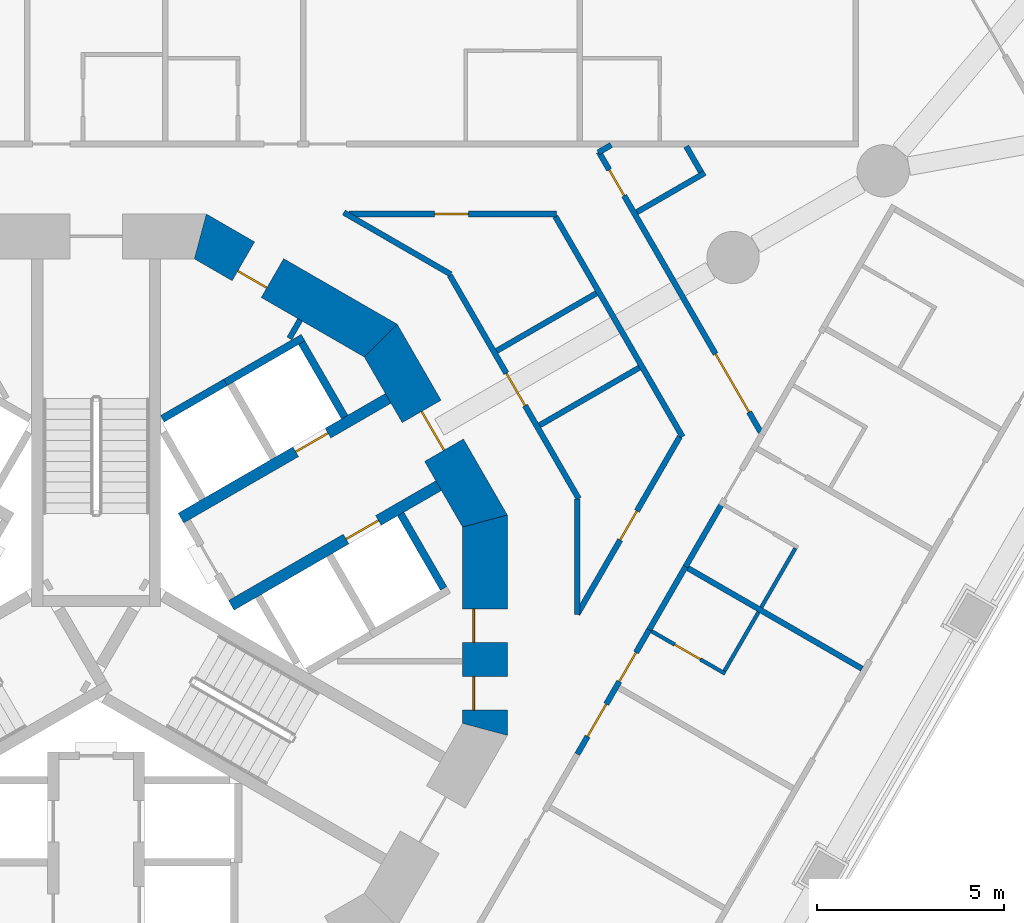
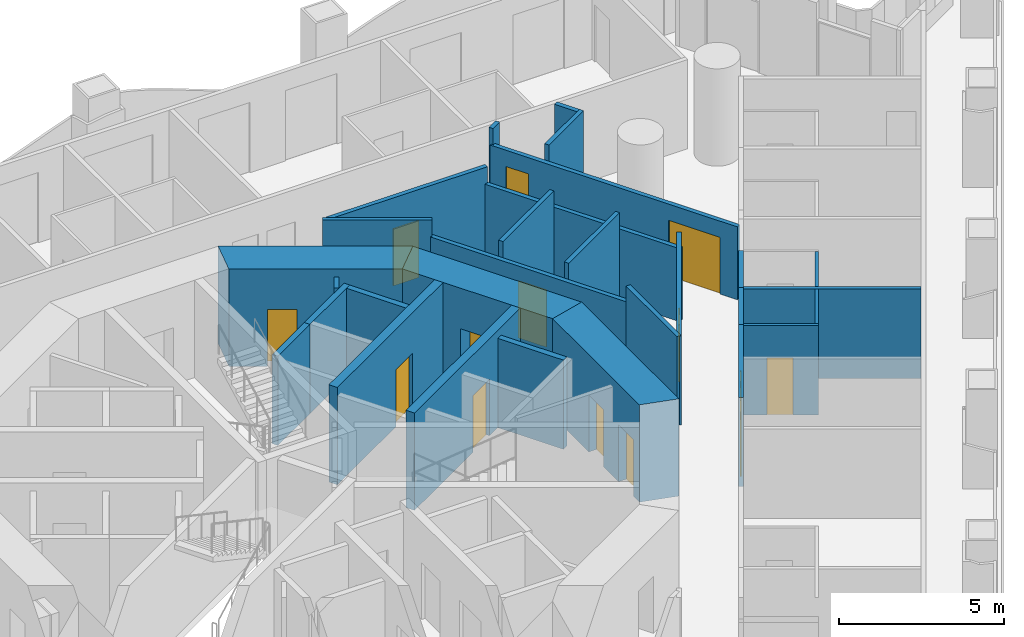
# One storey, part 9 of 20: 29 walls, 14 doors, 14 openings.
"""IFC4 building model written with IfcOpenShell, lengths in metres."""

from ifc_helpers import new_model, si_unit, direction, frame, frame_2d, origin, place, context, subcontext, project, spatial, polyline, rectangle, outline, extrude, material, layer, layer_set, type_object, element, fill, save


model = new_model("IFC4")

# Units and contexts
model_context = context("Model", 3, precision=1e-05, world=origin(), true_north=direction((0.0, 1.0)))
body_context = subcontext(model_context, "Body", "Model", "MODEL_VIEW")
ifc_project = project(units=[si_unit("LENGTHUNIT", "METRE"), si_unit("AREAUNIT", "SQUARE_METRE"), si_unit("VOLUMEUNIT", "CUBIC_METRE"), si_unit("PLANEANGLEUNIT", "RADIAN"), si_unit("MASSUNIT", "GRAM", prefix="KILO")], contexts=[model_context])

# Site, building, storey
site_placement = place(None, origin())
site = spatial("IfcSite", under=ifc_project, at=site_placement, CompositionType="ELEMENT")
building_placement = place(site_placement, origin())
building = spatial("IfcBuilding", under=site, at=building_placement, Name="Trine Commons Tower", CompositionType="ELEMENT")
storey_placement = place(building_placement, frame((0.0, 0.0, 38.699951171875)))
storey = spatial("IfcBuildingStorey", under=building, at=storey_placement, Name="L08", CompositionType="ELEMENT", Elevation=38.699951171875)

# Wall
ifc_material_1 = material(Name="Plasterboard partition on steel studs", Category="steel")
ifc_layer_1 = layer(ifc_material_1, 0.14990234375)
ifc_layer_set_1 = layer_set([ifc_layer_1], Name="Plasterboard partition on steel studs")
wall_type_1 = type_object("IfcWallType", Name="Core room partition 150 mm, EI 60", PredefinedType="PARTITIONING", material=ifc_layer_set_1)
wall_1_placement = place(storey_placement, frame((85.4609375, 70.676025390625, 0.0), z_axis=(0.0, 0.0, 1.0), x_axis=(-0.500042804318, -0.866000689289, 0.0)))
element("IfcWall", 1, at=wall_1_placement, inside=storey, type_object=wall_type_1, Name="Core room partition L08", PredefinedType="PARTITIONING", context=body_context, shape_type="SweptSolid", body=[
    extrude(rectangle(XDim=0.57177734375, YDim=0.14990234375, at=frame_2d((0.285888671875, 0.0))), origin(), (0.0, 0.0, 1.0), 3.300048828125),
])

# Wall, openings, doors
ifc_material_2 = material(Name="Concrete C80/95", Category="concrete")
ifc_layer_2 = layer(ifc_material_2, 1.199951171875)
ifc_layer_set_2 = layer_set([ifc_layer_2], Name="Concrete C80/95")
wall_type_2 = type_object("IfcWallType", Name="RC shear wall 1200 mm, C80/95", PredefinedType="SHEAR", material=ifc_layer_set_2)
wall_2_placement = place(storey_placement, frame((90.41162109375, 59.549560546875, 0.0), z_axis=(0.0, 0.0, 1.0), x_axis=(0.0, 1.0, 0.0)))
wall_2 = element("IfcWall", 2, at=wall_2_placement, inside=storey, type_object=wall_type_2, Name="Core wall CWA-01 L08", PredefinedType="SHEAR", context=body_context, shape_type="SweptSolid", body=[
    extrude(outline(polyline([(0.0, -0.60009765625), (5.90087890625, -0.60009765625), (5.57958984375, 0.60009765625), (0.321533203125, 0.60009765625), (0.0, -0.60009765625)])), origin(), (0.0, 0.0, 1.0), 3.60009765625),
])
opening_1_placement = place(wall_2_placement, frame((0.675537109375, 0.0, 0.0)))
opening_1 = element("IfcOpeningElement", 3, at=opening_1_placement, cuts=wall_2, Name="Opening K07.18", PredefinedType="OPENING", context=body_context, shape_type="SweptSolid", body=[
    extrude(rectangle(XDim=0.89990234375, YDim=2.10009765625, at=frame_2d((0.449951171875, 1.050048828125))), frame((0.0, 0.60986328125, 0.0), z_axis=(0.0, -1.0, 0.0), x_axis=(1.0, 0.0, 0.0)), (0.0, 0.0, 1.0), 1.219970703125),
])
opening_2_placement = place(wall_2_placement, frame((2.487548828125, 0.0, 0.0)))
opening_2 = element("IfcOpeningElement", 4, at=opening_2_placement, cuts=wall_2, Name="Opening K07.19", PredefinedType="OPENING", context=body_context, shape_type="SweptSolid", body=[
    extrude(rectangle(XDim=0.89990234375, YDim=2.10009765625, at=frame_2d((0.449951171875, 1.050048828125))), frame((0.0, 0.60986328125, 0.0), z_axis=(0.0, -1.0, 0.0), x_axis=(1.0, 0.0, 0.0)), (0.0, 0.0, 1.0), 1.219970703125),
])
ifc_material_3 = material(Name="Steel door leaf, fire-rated", Category="steel")
door_type_1 = type_object("IfcDoorType", Name="Core room door, single leaf 900 x 2100, FD30S", OperationType="SINGLE_SWING_LEFT", PredefinedType="DOOR", material=ifc_material_3)
door_1_placement = place(opening_1_placement, origin())
door_1 = element("IfcDoor", 5, at=door_1_placement, inside=storey, type_object=door_type_1, Name="Door to Parcel store L08", OperationType="SINGLE_SWING_LEFT", OverallHeight=2.10009765625, OverallWidth=0.89990234375, PredefinedType="DOOR", context=body_context, shape_type="SweptSolid", body=[
    extrude(rectangle(XDim=0.89990234375, YDim=2.10009765625, at=frame_2d((0.449951171875, 1.050048828125))), frame((0.0, 0.3251953125, 0.0), z_axis=(0.0, -1.0, 0.0), x_axis=(1.0, 0.0, 0.0)), (0.0, 0.0, 1.0), 0.050048828125),
])
fill(opening_1, door_1)
door_2_placement = place(opening_2_placement, origin())
door_2 = element("IfcDoor", 6, at=door_2_placement, inside=storey, type_object=door_type_1, Name="Door to Print room L08", OperationType="SINGLE_SWING_LEFT", OverallHeight=2.10009765625, OverallWidth=0.89990234375, PredefinedType="DOOR", context=body_context, shape_type="SweptSolid", body=[
    extrude(rectangle(XDim=0.89990234375, YDim=2.10009765625, at=frame_2d((0.449951171875, 1.050048828125))), frame((0.0, 0.3251953125, 0.0), z_axis=(0.0, -1.0, 0.0), x_axis=(1.0, 0.0, 0.0)), (0.0, 0.0, 1.0), 0.050048828125),
])
fill(opening_2, door_2)

# Wall, opening, door
wall_3_placement = place(storey_placement, frame((90.491943359375, 65.150390625, 0.0), z_axis=(0.0, 0.0, 1.0), x_axis=(-0.499979111662, 0.866037463336, 0.0)))
wall_3 = element("IfcWall", 7, at=wall_3_placement, inside=storey, type_object=wall_type_2, Name="Core wall CWA-02 L08", PredefinedType="SHEAR", context=body_context, shape_type="SweptSolid", body=[
    extrude(outline(polyline([(0.0, -0.60009765625), (5.901123046875, -0.60009765625), (5.57958984375, 0.60009765625), (0.321533203125, 0.60009765625), (0.0, -0.60009765625)])), origin(), (0.0, 0.0, 1.0), 3.60009765625),
])
opening_3_placement = place(wall_3_placement, frame((2.3505859375, 0.0, 0.0)))
opening_3 = element("IfcOpeningElement", 8, at=opening_3_placement, cuts=wall_3, Name="Opening K07.04", PredefinedType="OPENING", context=body_context, shape_type="SweptSolid", body=[
    extrude(rectangle(XDim=1.199951171875, YDim=2.10009765625, at=frame_2d((0.60009765625, 1.050048828125))), frame((0.0, 0.60986328125, 0.0), z_axis=(0.0, -1.0, 0.0), x_axis=(1.0, 0.0, 0.0)), (0.0, 0.0, 1.0), 1.219970703125),
])
ifc_material_4 = material(Name="Steel door leaves, fire-rated", Category="steel")
door_type_2 = type_object("IfcDoorType", Name="Lobby door, double leaf 1200 x 2100, FD60", OperationType="DOUBLE_DOOR_SINGLE_SWING", PredefinedType="DOOR", material=ifc_material_4)
door_3_placement = place(opening_3_placement, origin())
door_3 = element("IfcDoor", 9, at=door_3_placement, inside=storey, type_object=door_type_2, Name="Lobby door, Passenger lift lobby A L08", OperationType="DOUBLE_DOOR_SINGLE_SWING", OverallHeight=2.10009765625, OverallWidth=1.199951171875, PredefinedType="DOOR", context=body_context, shape_type="SweptSolid", body=[
    extrude(rectangle(XDim=1.199951171875, YDim=2.10009765625, at=frame_2d((0.60009765625, 1.050048828125))), frame((0.0, 0.02490234375, 0.0), z_axis=(0.0, -1.0, 0.0), x_axis=(1.0, 0.0, 0.0)), (0.0, 0.0, 1.0), 0.050048828125),
])
fill(opening_3, door_3)

wall_4_placement = place(storey_placement, frame((87.760986328125, 70.04150390625, 0.0), z_axis=(0.0, 0.0, 1.0), x_axis=(-0.866037463336, 0.499979111662, 0.0)))
wall_4 = element("IfcWall", 10, at=wall_4_placement, inside=storey, type_object=wall_type_2, Name="Core wall CWA-03 L08", PredefinedType="SHEAR", context=body_context, shape_type="SweptSolid", body=[
    extrude(outline(polyline([(0.0, -0.60009765625), (5.901123046875, -0.60009765625), (5.57958984375, 0.60009765625), (0.321533203125, 0.60009765625), (0.0, -0.60009765625)])), origin(), (0.0, 0.0, 1.0), 3.60009765625),
])
opening_4_placement = place(wall_4_placement, frame((3.509521484375, 0.0, 0.0)))
opening_4 = element("IfcOpeningElement", 11, at=opening_4_placement, cuts=wall_4, Name="Opening K07.11", PredefinedType="OPENING", context=body_context, shape_type="SweptSolid", body=[
    extrude(rectangle(XDim=0.89990234375, YDim=2.10009765625, at=frame_2d((0.449951171875, 1.050048828125))), frame((0.0, 0.60986328125, 0.0), z_axis=(0.0, -1.0, 0.0), x_axis=(1.0, 0.0, 0.0)), (0.0, 0.0, 1.0), 1.219970703125),
])
door_4_placement = place(opening_4_placement, origin())
door_4 = element("IfcDoor", 12, at=door_4_placement, inside=storey, type_object=door_type_1, Name="Door to Accessible WC L08", OperationType="SINGLE_SWING_RIGHT", OverallHeight=2.10009765625, OverallWidth=0.89990234375, PredefinedType="DOOR", context=body_context, shape_type="SweptSolid", body=[
    extrude(rectangle(XDim=0.89990234375, YDim=2.10009765625, at=frame_2d((0.449951171875, 1.050048828125))), frame((0.0, 0.3251953125, 0.0), z_axis=(0.0, -1.0, 0.0), x_axis=(1.0, 0.0, 0.0)), (0.0, 0.0, 1.0), 0.050048828125),
])
fill(opening_4, door_4)

ifc_layer_3 = layer(ifc_material_2, 0.300048828125)
ifc_layer_set_3 = layer_set([ifc_layer_3], Name="Concrete C80/95")
wall_type_3 = type_object("IfcWallType", Name="RC shear wall 300 mm, C80/95", PredefinedType="SHEAR", material=ifc_layer_set_3)
wall_5_placement = place(storey_placement, frame((82.26904296875, 65.368896484375, 0.0), z_axis=(0.0, 0.0, 1.0), x_axis=(0.866022631842, 0.500004801114, 0.0)))
wall_5 = element("IfcWall", 13, at=wall_5_placement, inside=storey, type_object=wall_type_3, Name="Core cross wall SWA-05 L08", PredefinedType="SHEAR", context=body_context, shape_type="SweptSolid", body=[
    extrude(rectangle(XDim=6.412109375, YDim=0.300048828125, at=frame_2d((3.2060546875, 0.0))), origin(), (0.0, 0.0, 1.0), 3.60009765625),
])
opening_5_placement = place(wall_5_placement, frame((3.55029296875, 0.0, 0.0)))
opening_5 = element("IfcOpeningElement", 14, at=opening_5_placement, cuts=wall_5, Name="Opening LD1", PredefinedType="OPENING", context=body_context, shape_type="SweptSolid", body=[
    extrude(rectangle(XDim=1.0, YDim=2.10009765625, at=frame_2d((0.5, 1.050048828125))), frame((0.0, 0.159912109375, 0.0), z_axis=(0.0, -1.0, 0.0), x_axis=(1.0, 0.0, 0.0)), (0.0, 0.0, 1.0), 0.320068359375),
])
ifc_material_5 = material(Name="Stainless steel sliding door leaves", Category="steel")
door_type_3 = type_object("IfcDoorType", Name="Lift landing door, centre-opening sliding 1000 x 2100, FD90", OperationType="DOUBLE_DOOR_SLIDING", PredefinedType="DOOR", material=ifc_material_5)
door_5_placement = place(opening_5_placement, origin())
door_5 = element("IfcDoor", 15, at=door_5_placement, inside=storey, type_object=door_type_3, Name="Lift landing door LR1 L08", OperationType="DOUBLE_DOOR_SLIDING", OverallHeight=2.10009765625, OverallWidth=1.0, PredefinedType="DOOR", context=body_context, shape_type="SweptSolid", body=[
    extrude(rectangle(XDim=1.0, YDim=2.10009765625, at=frame_2d((0.5, 1.050048828125))), frame((0.0, 0.02490234375, 0.0), z_axis=(0.0, -1.0, 0.0), x_axis=(1.0, 0.0, 0.0)), (0.0, 0.0, 1.0), 0.050048828125),
])
fill(opening_5, door_5)

wall_6_placement = place(storey_placement, frame((83.618896484375, 63.031005859375, 0.0), z_axis=(0.0, 0.0, 1.0), x_axis=(0.866032150378, 0.499988314375, 0.0)))
wall_6 = element("IfcWall", 16, at=wall_6_placement, inside=storey, type_object=wall_type_3, Name="Core cross wall SWA-06 L08", PredefinedType="SHEAR", context=body_context, shape_type="SweptSolid", body=[
    extrude(rectangle(XDim=6.412353515625, YDim=0.300048828125, at=frame_2d((3.2060546875, 0.0))), origin(), (0.0, 0.0, 1.0), 3.60009765625),
])
opening_6_placement = place(wall_6_placement, frame((3.55029296875, 0.0, 0.0)))
opening_6 = element("IfcOpeningElement", 17, at=opening_6_placement, cuts=wall_6, Name="Opening LD2", PredefinedType="OPENING", context=body_context, shape_type="SweptSolid", body=[
    extrude(rectangle(XDim=1.0, YDim=2.10009765625, at=frame_2d((0.5, 1.050048828125))), frame((0.0, 0.159912109375, 0.0), z_axis=(0.0, -1.0, 0.0), x_axis=(1.0, 0.0, 0.0)), (0.0, 0.0, 1.0), 0.320068359375),
])
door_6_placement = place(opening_6_placement, origin())
door_6 = element("IfcDoor", 18, at=door_6_placement, inside=storey, type_object=door_type_3, Name="Lift landing door LR2 L08", OperationType="DOUBLE_DOOR_SLIDING", OverallHeight=2.10009765625, OverallWidth=1.0, PredefinedType="DOOR", context=body_context, shape_type="SweptSolid", body=[
    extrude(rectangle(XDim=1.0, YDim=2.10009765625, at=frame_2d((0.5, 1.050048828125))), frame((0.0, 0.02490234375, 0.0), z_axis=(0.0, -1.0, 0.0), x_axis=(1.0, 0.0, 0.0)), (0.0, 0.0, 1.0), 0.050048828125),
])
fill(opening_6, door_6)

# Walls
ifc_material_6 = material(Name="Fire-rated gypsum shaft wall system")
ifc_layer_4 = layer(ifc_material_6, 0.199951171875)
ifc_layer_set_4 = layer_set([ifc_layer_4], Name="Fire-rated gypsum shaft wall system")
wall_type_4 = type_object("IfcWallType", Name="Shaft wall 200 mm, EI 120", PredefinedType="PARTITIONING", material=ifc_layer_set_4)
wall_7_placement = place(storey_placement, frame((81.77490234375, 68.028076171875, 0.0), z_axis=(0.0, 0.0, 1.0), x_axis=(0.866052014814, 0.499953905513, 0.0)))
element("IfcWall", 19, at=wall_7_placement, inside=storey, type_object=wall_type_4, Name="Shaft wall L08", PredefinedType="PARTITIONING", context=body_context, shape_type="SweptSolid", body=[
    extrude(rectangle(XDim=1.947998046875, YDim=0.199951171875, at=frame_2d((0.97412109375, 0.0))), origin(), (0.0, 0.0, 1.0), 3.300048828125),
])
wall_8_placement = place(storey_placement, frame((83.4619140625, 69.001953125, 0.0), z_axis=(0.0, 0.0, 1.0), x_axis=(0.866202511239, 0.499693115345, 0.0)))
element("IfcWall", 20, at=wall_8_placement, inside=storey, type_object=wall_type_4, Name="Shaft wall L08", PredefinedType="PARTITIONING", context=body_context, shape_type="SweptSolid", body=[
    extrude(rectangle(XDim=2.4013671875, YDim=0.199951171875, at=frame_2d((1.20068359375, 0.0))), origin(), (0.0, 0.0, 1.0), 3.300048828125),
])
wall_9_placement = place(storey_placement, frame((86.655029296875, 68.073974609375, 0.0), z_axis=(0.0, 0.0, 1.0), x_axis=(-0.500215680983, 0.865900844496, 0.0)))
element("IfcWall", 21, at=wall_9_placement, inside=storey, type_object=wall_type_4, Name="Shaft wall L08", PredefinedType="PARTITIONING", context=body_context, shape_type="SweptSolid", body=[
    extrude(rectangle(XDim=2.29931640625, YDim=0.199951171875, at=frame_2d((1.149658203125, 0.0))), origin(), (0.0, 0.0, 1.0), 3.300048828125),
])
wall_10_placement = place(storey_placement, frame((88.155029296875, 65.47607421875, 0.0), z_axis=(0.0, 0.0, 1.0), x_axis=(0.500136062276, -0.86594683394, 0.0)))
element("IfcWall", 22, at=wall_10_placement, inside=storey, type_object=wall_type_4, Name="Shaft wall L08", PredefinedType="PARTITIONING", context=body_context, shape_type="SweptSolid", body=[
    extrude(rectangle(XDim=2.299072265625, YDim=0.199951171875, at=frame_2d((1.1494140625, 0.0))), origin(), (0.0, 0.0, 1.0), 3.300048828125),
])
ifc_material_7 = material(Name="Gypsum plasterboard on steel stud", Category="steel")
ifc_layer_5 = layer(ifc_material_7, 0.14990234375)
ifc_layer_set_5 = layer_set([ifc_layer_5], Name="Gypsum plasterboard on steel stud")
wall_type_5 = type_object("IfcWallType", Name="Unit and corridor wall 150 mm, EI 60", PredefinedType="PARTITIONING", material=ifc_layer_set_5)
wall_11_placement = place(storey_placement, frame((86.633056640625, 73.551513671875, 0.0), z_axis=(0.0, 0.0, 1.0), x_axis=(0.865959508231, -0.500114117081, 0.0)))
element("IfcWall", 23, at=wall_11_placement, inside=storey, type_object=wall_type_5, Name="Partition 092", PredefinedType="PARTITIONING", context=body_context, shape_type="SweptSolid", body=[
    extrude(rectangle(XDim=3.309326171875, YDim=0.14990234375, at=frame_2d((1.65478515625, 0.0))), origin(), (0.0, 0.0, 1.0), 3.300048828125),
])

# Wall, opening, door
wall_12_placement = place(storey_placement, frame((86.77587890625, 73.511962890625, 0.0), z_axis=(0.0, 0.0, 1.0), x_axis=(1.0, 0.0, 0.0)))
wall_12 = element("IfcWall", 24, at=wall_12_placement, inside=storey, type_object=wall_type_5, Name="Partition 093", PredefinedType="PARTITIONING", context=body_context, shape_type="SweptSolid", body=[
    extrude(rectangle(XDim=5.55810546875, YDim=0.14990234375, at=frame_2d((2.779052734375, 0.0))), origin(), (0.0, 0.0, 1.0), 3.300048828125),
])
opening_7_placement = place(wall_12_placement, frame((2.29150390625, 0.0, 0.0)))
opening_7 = element("IfcOpeningElement", 25, at=opening_7_placement, cuts=wall_12, Name="Opening D-1A36", PredefinedType="OPENING", context=body_context, shape_type="SweptSolid", body=[
    extrude(rectangle(XDim=0.89990234375, YDim=2.10009765625, at=frame_2d((0.449951171875, 1.050048828125))), frame((0.0, 0.0849609375, 0.0), z_axis=(0.0, -1.0, 0.0), x_axis=(1.0, 0.0, 0.0)), (0.0, 0.0, 1.0), 0.169921875),
])
ifc_material_8 = material(Name="Timber fire door set", Category="wood")
door_type_4 = type_object("IfcDoorType", Name="Service door 900 x 2100, FD30S", OperationType="NOTDEFINED", PredefinedType="DOOR", material=ifc_material_8)
door_7_placement = place(opening_7_placement, frame((0.89990234375, 0.0, 0.0), z_axis=(0.0, 0.0, 1.0), x_axis=(-1.0, 0.0, 0.0)))
door_7 = element("IfcDoor", 26, at=door_7_placement, inside=storey, type_object=door_type_4, Name="Door D-1A36", OperationType="SINGLE_SWING_RIGHT", OverallHeight=2.10009765625, OverallWidth=0.89990234375, PredefinedType="DOOR", context=body_context, shape_type="SweptSolid", body=[
    extrude(rectangle(XDim=0.89990234375, YDim=2.10009765625, at=frame_2d((0.449951171875, 1.050048828125))), frame((0.0, 0.02490234375, 0.0), z_axis=(0.0, -1.0, 0.0), x_axis=(1.0, 0.0, 0.0)), (0.0, 0.0, 1.0), 0.050048828125),
])
fill(opening_7, door_7)

wall_13_placement = place(storey_placement, frame((89.471435546875, 71.868896484375, 0.0), z_axis=(0.0, 0.0, 1.0), x_axis=(0.50000193825, -0.866024284732, 0.0)))
wall_13 = element("IfcWall", 27, at=wall_13_placement, inside=storey, type_object=wall_type_5, Name="Partition 099", PredefinedType="PARTITIONING", context=body_context, shape_type="SweptSolid", body=[
    extrude(rectangle(XDim=6.90625, YDim=0.14990234375, at=frame_2d((3.453125, 0.0))), origin(), (0.0, 0.0, 1.0), 2.699951171875),
])
opening_8_placement = place(wall_13_placement, frame((3.0283203125, 0.0, 0.0)))
opening_8 = element("IfcOpeningElement", 28, at=opening_8_placement, cuts=wall_13, Name="Opening D-1A40", PredefinedType="OPENING", context=body_context, shape_type="SweptSolid", body=[
    extrude(rectangle(XDim=1.0, YDim=2.10009765625, at=frame_2d((0.5, 1.050048828125))), frame((0.0, 0.0849609375, 0.0), z_axis=(0.0, -1.0, 0.0), x_axis=(1.0, 0.0, 0.0)), (0.0, 0.0, 1.0), 0.169921875),
])
ifc_material_9 = material(Name="Painted timber", Category="wood")
door_type_5 = type_object("IfcDoorType", Name="Toilet door 1000 x 2100, NOT RATED", OperationType="NOTDEFINED", PredefinedType="DOOR", material=ifc_material_9)
door_8_placement = place(opening_8_placement, origin())
door_8 = element("IfcDoor", 29, at=door_8_placement, inside=storey, type_object=door_type_5, Name="Door D-1A40", OperationType="SINGLE_SWING_RIGHT", OverallHeight=2.10009765625, OverallWidth=1.0, PredefinedType="DOOR", context=body_context, shape_type="SweptSolid", body=[
    extrude(rectangle(XDim=1.0, YDim=2.10009765625, at=frame_2d((0.5, 1.050048828125))), frame((0.0, 0.02490234375, 0.0), z_axis=(0.0, -1.0, 0.0), x_axis=(1.0, 0.0, 0.0)), (0.0, 0.0, 1.0), 0.050048828125),
])
fill(opening_8, door_8)

# Walls
wall_14_placement = place(storey_placement, frame((90.724853515625, 69.846435546875, 0.0), z_axis=(0.0, 0.0, 1.0), x_axis=(0.866014305363, 0.500019222537, 0.0)))
element("IfcWall", 30, at=wall_14_placement, inside=storey, type_object=wall_type_5, Name="Partition 103", PredefinedType="PARTITIONING", context=body_context, shape_type="SweptSolid", body=[
    extrude(rectangle(XDim=3.0859375, YDim=0.14990234375, at=frame_2d((1.54296875, 0.0))), origin(), (0.0, 0.0, 1.0), 3.300048828125),
])
wall_15_placement = place(storey_placement, frame((91.875, 67.8544921875, 0.0), z_axis=(0.0, 0.0, 1.0), x_axis=(0.865994522568, 0.500053484023, 0.0)))
element("IfcWall", 31, at=wall_15_placement, inside=storey, type_object=wall_type_5, Name="Partition 104", PredefinedType="PARTITIONING", context=body_context, shape_type="SweptSolid", body=[
    extrude(rectangle(XDim=3.085693359375, YDim=0.14990234375, at=frame_2d((1.54296875, 0.0))), origin(), (0.0, 0.0, 1.0), 3.300048828125),
])
wall_16_placement = place(storey_placement, frame((92.29638671875, 73.447021484375, 0.0), z_axis=(0.0, 0.0, 1.0), x_axis=(0.499961235371, -0.866047783397, 0.0)))
element("IfcWall", 32, at=wall_16_placement, inside=storey, type_object=wall_type_5, Name="Partition 106", PredefinedType="PARTITIONING", context=body_context, shape_type="SweptSolid", body=[
    extrude(rectangle(XDim=6.81494140625, YDim=0.14990234375, at=frame_2d((3.407470703125, 0.0))), origin(), (0.0, 0.0, 1.0), 2.699951171875),
])

# Wall, openings, doors
wall_17_placement = place(storey_placement, frame((92.886962890625, 59.047119140625, 0.0), z_axis=(0.0, 0.0, 1.0), x_axis=(0.499944721712, 0.866057316367, 0.0)))
wall_17 = element("IfcWall", 33, at=wall_17_placement, inside=storey, type_object=wall_type_5, Name="Partition 107", PredefinedType="PARTITIONING", context=body_context, shape_type="SweptSolid", body=[
    extrude(rectangle(XDim=3.8984375, YDim=0.14990234375, at=frame_2d((1.94921875, 0.0))), origin(), (0.0, 0.0, 1.0), 3.300048828125),
])
opening_9_placement = place(wall_17_placement, frame((2.245361328125, 0.0, 0.0)))
opening_9 = element("IfcOpeningElement", 34, at=opening_9_placement, cuts=wall_17, Name="Opening D-1A18", PredefinedType="OPENING", context=body_context, shape_type="SweptSolid", body=[
    extrude(rectangle(XDim=0.89990234375, YDim=2.10009765625, at=frame_2d((0.449951171875, 1.050048828125))), frame((0.0, 0.0849609375, 0.0), z_axis=(0.0, -1.0, 0.0), x_axis=(1.0, 0.0, 0.0)), (0.0, 0.0, 1.0), 0.169921875),
])
opening_10_placement = place(wall_17_placement, frame((0.547607421875, 0.0, 0.0)))
opening_10 = element("IfcOpeningElement", 35, at=opening_10_placement, cuts=wall_17, Name="Opening D-1A19", PredefinedType="OPENING", context=body_context, shape_type="SweptSolid", body=[
    extrude(rectangle(XDim=1.0, YDim=2.10009765625, at=frame_2d((0.5, 1.050048828125))), frame((0.0, 0.0849609375, 0.0), z_axis=(0.0, -1.0, 0.0), x_axis=(1.0, 0.0, 0.0)), (0.0, 0.0, 1.0), 0.169921875),
])
door_type_6 = type_object("IfcDoorType", Name="Amenity room door 1000 x 2100, NOT RATED", OperationType="NOTDEFINED", PredefinedType="DOOR", material=ifc_material_9)
door_9_placement = place(opening_10_placement, frame((1.0, 0.0, 0.0), z_axis=(0.0, 0.0, 1.0), x_axis=(-1.0, 0.0, 0.0)))
door_9 = element("IfcDoor", 36, at=door_9_placement, inside=storey, type_object=door_type_6, Name="Door D-1A19", OperationType="SINGLE_SWING_RIGHT", OverallHeight=2.10009765625, OverallWidth=1.0, PredefinedType="DOOR", context=body_context, shape_type="SweptSolid", body=[
    extrude(rectangle(XDim=1.0, YDim=2.10009765625, at=frame_2d((0.5, 1.050048828125))), frame((0.0, 0.02490234375, 0.0), z_axis=(0.0, -1.0, 0.0), x_axis=(1.0, 0.0, 0.0)), (0.0, 0.0, 1.0), 0.050048828125),
])
fill(opening_10, door_9)
door_type_7 = type_object("IfcDoorType", Name="Bedroom door 900 x 2100, FD30S", OperationType="NOTDEFINED", PredefinedType="DOOR", material=ifc_material_8)
door_10_placement = place(opening_9_placement, frame((0.89990234375, 0.0, 0.0), z_axis=(0.0, 0.0, 1.0), x_axis=(-1.0, 0.0, 0.0)))
door_10 = element("IfcDoor", 37, at=door_10_placement, inside=storey, type_object=door_type_7, Name="Door D-1A18", OperationType="SINGLE_SWING_LEFT", OverallHeight=2.10009765625, OverallWidth=0.89990234375, PredefinedType="DOOR", context=body_context, shape_type="SweptSolid", body=[
    extrude(rectangle(XDim=0.89990234375, YDim=2.10009765625, at=frame_2d((0.449951171875, 1.050048828125))), frame((0.0, 0.02490234375, 0.0), z_axis=(0.0, -1.0, 0.0), x_axis=(1.0, 0.0, 0.0)), (0.0, 0.0, 1.0), 0.050048828125),
])
fill(opening_9, door_10)

# Wall
wall_18_placement = place(storey_placement, frame((92.886962890625, 62.79296875, 0.0), z_axis=(0.0, 0.0, 1.0), x_axis=(0.0, 1.0, 0.0)))
element("IfcWall", 38, at=wall_18_placement, inside=storey, type_object=wall_type_5, Name="Partition 108", PredefinedType="PARTITIONING", context=body_context, shape_type="SweptSolid", body=[
    extrude(rectangle(XDim=3.0849609375, YDim=0.14990234375, at=frame_2d((1.54248046875, 0.0))), origin(), (0.0, 0.0, 1.0), 3.300048828125),
])

# Wall, opening, door
wall_19_placement = place(storey_placement, frame((92.886962890625, 62.797119140625, 0.0), z_axis=(0.0, 0.0, 1.0), x_axis=(0.500042392625, 0.866000927008, 0.0)))
wall_19 = element("IfcWall", 39, at=wall_19_placement, inside=storey, type_object=wall_type_5, Name="Partition 109", PredefinedType="PARTITIONING", context=body_context, shape_type="SweptSolid", body=[
    extrude(rectangle(XDim=5.482421875, YDim=0.14990234375, at=frame_2d((2.7412109375, 0.0))), origin(), (0.0, 0.0, 1.0), 3.300048828125),
])
opening_11_placement = place(wall_19_placement, frame((2.291259765625, 0.0, 0.0)))
opening_11 = element("IfcOpeningElement", 40, at=opening_11_placement, cuts=wall_19, Name="Opening D-1A37", PredefinedType="OPENING", context=body_context, shape_type="SweptSolid", body=[
    extrude(rectangle(XDim=0.89990234375, YDim=2.10009765625, at=frame_2d((0.449951171875, 1.050048828125))), frame((0.0, 0.0849609375, 0.0), z_axis=(0.0, -1.0, 0.0), x_axis=(1.0, 0.0, 0.0)), (0.0, 0.0, 1.0), 0.169921875),
])
door_11_placement = place(opening_11_placement, origin())
door_11 = element("IfcDoor", 41, at=door_11_placement, inside=storey, type_object=door_type_4, Name="Door D-1A37", OperationType="SINGLE_SWING_LEFT", OverallHeight=2.10009765625, OverallWidth=0.89990234375, PredefinedType="DOOR", context=body_context, shape_type="SweptSolid", body=[
    extrude(rectangle(XDim=0.89990234375, YDim=2.10009765625, at=frame_2d((0.449951171875, 1.050048828125))), frame((0.0, 0.02490234375, 0.0), z_axis=(0.0, -1.0, 0.0), x_axis=(1.0, 0.0, 0.0)), (0.0, 0.0, 1.0), 0.050048828125),
])
fill(opening_11, door_11)

# Wall, openings, doors
wall_20_placement = place(storey_placement, frame((93.464111328125, 75.173095703125, 0.0), z_axis=(0.0, 0.0, 1.0), x_axis=(0.50002999923, -0.866008083028, 0.0)))
wall_20 = element("IfcWall", 42, at=wall_20_placement, inside=storey, type_object=wall_type_5, Name="Partition 112", PredefinedType="PARTITIONING", context=body_context, shape_type="SweptSolid", body=[
    extrude(rectangle(XDim=8.658203125, YDim=0.14990234375, at=frame_2d((4.3291015625, 0.0))), origin(), (0.0, 0.0, 1.0), 2.699951171875),
])
opening_12_placement = place(wall_20_placement, frame((6.24560546875, 0.0, 0.0)))
opening_12 = element("IfcOpeningElement", 43, at=opening_12_placement, cuts=wall_20, Name="Opening D-1A01", PredefinedType="OPENING", context=body_context, shape_type="SweptSolid", body=[
    extrude(rectangle(XDim=1.800048828125, YDim=2.10009765625, at=frame_2d((0.89990234375, 1.050048828125))), frame((0.0, 0.0849609375, 0.0), z_axis=(0.0, -1.0, 0.0), x_axis=(1.0, 0.0, 0.0)), (0.0, 0.0, 1.0), 0.169921875),
])
opening_13_placement = place(wall_20_placement, frame((0.55322265625, 0.0, 0.0)))
opening_13 = element("IfcOpeningElement", 44, at=opening_13_placement, cuts=wall_20, Name="Opening D-1A04", PredefinedType="OPENING", context=body_context, shape_type="SweptSolid", body=[
    extrude(rectangle(XDim=0.800048828125, YDim=2.10009765625, at=frame_2d((0.39990234375, 1.050048828125))), frame((0.0, 0.0849609375, 0.0), z_axis=(0.0, -1.0, 0.0), x_axis=(1.0, 0.0, 0.0)), (0.0, 0.0, 1.0), 0.169921875),
])
door_type_8 = type_object("IfcDoorType", Name="Cluster entrance door 1800 x 2100, double leaf, FD30S", OperationType="DOUBLE_DOOR_DOUBLE_SWING", PredefinedType="DOOR", material=ifc_material_8)
door_12_placement = place(opening_12_placement, origin())
door_12 = element("IfcDoor", 45, at=door_12_placement, inside=storey, type_object=door_type_8, Name="Door D-1A01", OperationType="DOUBLE_DOOR_DOUBLE_SWING", OverallHeight=2.10009765625, OverallWidth=1.800048828125, PredefinedType="DOOR", context=body_context, shape_type="SweptSolid", body=[
    extrude(rectangle(XDim=1.800048828125, YDim=2.10009765625, at=frame_2d((0.89990234375, 1.050048828125))), frame((0.0, 0.02490234375, 0.0), z_axis=(0.0, -1.0, 0.0), x_axis=(1.0, 0.0, 0.0)), (0.0, 0.0, 1.0), 0.050048828125),
])
fill(opening_12, door_12)
door_type_9 = type_object("IfcDoorType", Name="Toilet door 800 x 2100, NOT RATED", OperationType="NOTDEFINED", PredefinedType="DOOR", material=ifc_material_9)
door_13_placement = place(opening_13_placement, origin())
door_13 = element("IfcDoor", 46, at=door_13_placement, inside=storey, type_object=door_type_9, Name="Door D-1A04", OperationType="SINGLE_SWING_LEFT", OverallHeight=2.10009765625, OverallWidth=0.800048828125, PredefinedType="DOOR", context=body_context, shape_type="SweptSolid", body=[
    extrude(rectangle(XDim=0.800048828125, YDim=2.10009765625, at=frame_2d((0.39990234375, 1.050048828125))), frame((0.0, 0.02490234375, 0.0), z_axis=(0.0, -1.0, 0.0), x_axis=(1.0, 0.0, 0.0)), (0.0, 0.0, 1.0), 0.050048828125),
])
fill(opening_13, door_13)

# Walls
wall_21_placement = place(storey_placement, frame((93.447998046875, 75.159423828125, 0.0), z_axis=(0.0, 0.0, 1.0), x_axis=(0.865412357026, 0.50106032801, 0.0)))
element("IfcWall", 47, at=wall_21_placement, inside=storey, type_object=wall_type_5, Name="Partition 113", PredefinedType="PARTITIONING", context=body_context, shape_type="SweptSolid", body=[
    extrude(rectangle(XDim=0.400146484375, YDim=0.14990234375, at=frame_2d((0.2001953125, 0.0))), origin(), (0.0, 0.0, 1.0), 3.300048828125),
])
wall_22_placement = place(storey_placement, frame((94.48095703125, 73.5625, 0.0), z_axis=(0.0, 0.0, 1.0), x_axis=(0.866067520717, 0.499927044236, 0.0)))
element("IfcWall", 48, at=wall_22_placement, inside=storey, type_object=wall_type_5, Name="Partition 115", PredefinedType="PARTITIONING", context=body_context, shape_type="SweptSolid", body=[
    extrude(rectangle(XDim=2.100341796875, YDim=0.14990234375, at=frame_2d((1.05029296875, 0.0))), origin(), (0.0, 0.0, 1.0), 3.300048828125),
])
wall_23_placement = place(storey_placement, frame((94.80810546875, 62.3740234375, 0.0), z_axis=(0.0, 0.0, 1.0), x_axis=(0.499884524299, 0.866092063448, 0.0)))
element("IfcWall", 49, at=wall_23_placement, inside=storey, type_object=wall_type_5, Name="Partition 116", PredefinedType="PARTITIONING", context=body_context, shape_type="SweptSolid", body=[
    extrude(rectangle(XDim=1.9560546875, YDim=0.14990234375, at=frame_2d((0.97802734375, 0.0))), origin(), (0.0, 0.0, 1.0), 3.300048828125),
])
wall_24_placement = place(storey_placement, frame((95.803466796875, 75.322021484375, 0.0), z_axis=(0.0, 0.0, 1.0), x_axis=(0.500205309043, -0.8659068361, 0.0)))
element("IfcWall", 50, at=wall_24_placement, inside=storey, type_object=wall_type_5, Name="Partition 119", PredefinedType="PARTITIONING", context=body_context, shape_type="SweptSolid", body=[
    extrude(rectangle(XDim=0.787841796875, YDim=0.14990234375, at=frame_2d((0.39404296875, 0.0))), origin(), (0.0, 0.0, 1.0), 3.300048828125),
])
wall_25_placement = place(storey_placement, frame((95.744384765625, 63.9970703125, 0.0), z_axis=(0.0, 0.0, 1.0), x_axis=(0.500169528197, 0.865927504508, 0.0)))
element("IfcWall", 51, at=wall_25_placement, inside=storey, type_object=wall_type_5, Name="Partition 120", PredefinedType="PARTITIONING", context=body_context, shape_type="SweptSolid", body=[
    extrude(rectangle(XDim=2.032470703125, YDim=0.14990234375, at=frame_2d((1.01611328125, 0.0))), origin(), (0.0, 0.0, 1.0), 3.300048828125),
])
wall_26_placement = place(storey_placement, frame((95.84912109375, 64.027587890625, 0.0), z_axis=(0.0, 0.0, 1.0), x_axis=(0.865992970276, -0.500056172277, 0.0)))
element("IfcWall", 52, at=wall_26_placement, inside=storey, type_object=wall_type_5, Name="Partition 121", PredefinedType="PARTITIONING", context=body_context, shape_type="SweptSolid", body=[
    extrude(rectangle(XDim=5.3828125, YDim=0.14990234375, at=frame_2d((2.69140625, 0.0))), origin(), (0.0, 0.0, 1.0), 3.300048828125),
])

# Wall, opening, door
ifc_layer_6 = layer(ifc_material_7, 0.10009765625)
ifc_layer_set_6 = layer_set([ifc_layer_6], Name="Gypsum plasterboard on steel stud")
wall_type_6 = type_object("IfcWallType", Name="Unit partition 100 mm, no rating", PredefinedType="PARTITIONING", material=ifc_layer_set_6)
wall_27_placement = place(storey_placement, frame((94.8740234375, 62.339599609375, 0.0), z_axis=(0.0, 0.0, 1.0), x_axis=(0.865989003036, -0.500063042646, 0.0)))
wall_27 = element("IfcWall", 53, at=wall_27_placement, inside=storey, type_object=wall_type_6, Name="Partition 117", PredefinedType="PARTITIONING", context=body_context, shape_type="SweptSolid", body=[
    extrude(rectangle(XDim=2.275146484375, YDim=0.10009765625, at=frame_2d((1.1376953125, 0.0))), origin(), (0.0, 0.0, 1.0), 3.300048828125),
])
opening_14_placement = place(wall_27_placement, frame((0.712646484375, 0.0, 0.0)))
opening_14 = element("IfcOpeningElement", 54, at=opening_14_placement, cuts=wall_27, Name="Opening D-1A51", PredefinedType="OPENING", context=body_context, shape_type="SweptSolid", body=[
    extrude(rectangle(XDim=0.800048828125, YDim=2.10009765625, at=frame_2d((0.39990234375, 1.050048828125))), frame((0.0, 0.06005859375, 0.0), z_axis=(0.0, -1.0, 0.0), x_axis=(1.0, 0.0, 0.0)), (0.0, 0.0, 1.0), 0.1201171875),
])
door_type_10 = type_object("IfcDoorType", Name="Internal door 800 x 2100, NOT RATED", OperationType="NOTDEFINED", PredefinedType="DOOR", material=ifc_material_9)
door_14_placement = place(opening_14_placement, frame((0.800048828125, 0.0, 0.0), z_axis=(0.0, 0.0, 1.0), x_axis=(-1.0, 0.0, 0.0)))
door_14 = element("IfcDoor", 55, at=door_14_placement, inside=storey, type_object=door_type_10, Name="Door D-1A51", OperationType="SINGLE_SWING_RIGHT", OverallHeight=2.10009765625, OverallWidth=0.800048828125, PredefinedType="DOOR", context=body_context, shape_type="SweptSolid", body=[
    extrude(rectangle(XDim=0.800048828125, YDim=2.10009765625, at=frame_2d((0.39990234375, 1.050048828125))), frame((0.0, 0.02490234375, 0.0), z_axis=(0.0, -1.0, 0.0), x_axis=(1.0, 0.0, 0.0)), (0.0, 0.0, 1.0), 0.050048828125),
])
fill(opening_14, door_14)

# Walls
wall_28_placement = place(storey_placement, frame((96.825927734375, 61.270263671875, 0.0), z_axis=(0.0, 0.0, 1.0), x_axis=(0.500197336954, 0.86591144126, 0.0)))
element("IfcWall", 56, at=wall_28_placement, inside=storey, type_object=wall_type_6, Name="Partition 124", PredefinedType="PARTITIONING", context=body_context, shape_type="SweptSolid", body=[
    extrude(rectangle(XDim=1.824462890625, YDim=0.10009765625, at=frame_2d((0.912109375, 0.0))), origin(), (0.0, 0.0, 1.0), 3.300048828125),
])
wall_29_placement = place(storey_placement, frame((97.8134765625, 62.97998046875, 0.0), z_axis=(0.0, 0.0, 1.0), x_axis=(0.499965592563, 0.866045268016, 0.0)))
element("IfcWall", 57, at=wall_29_placement, inside=storey, type_object=wall_type_6, Name="Partition 127", PredefinedType="PARTITIONING", context=body_context, shape_type="SweptSolid", body=[
    extrude(rectangle(XDim=1.825439453125, YDim=0.10009765625, at=frame_2d((0.91259765625, 0.0))), origin(), (0.0, 0.0, 1.0), 3.300048828125),
])

save(model, "model.ifc")
